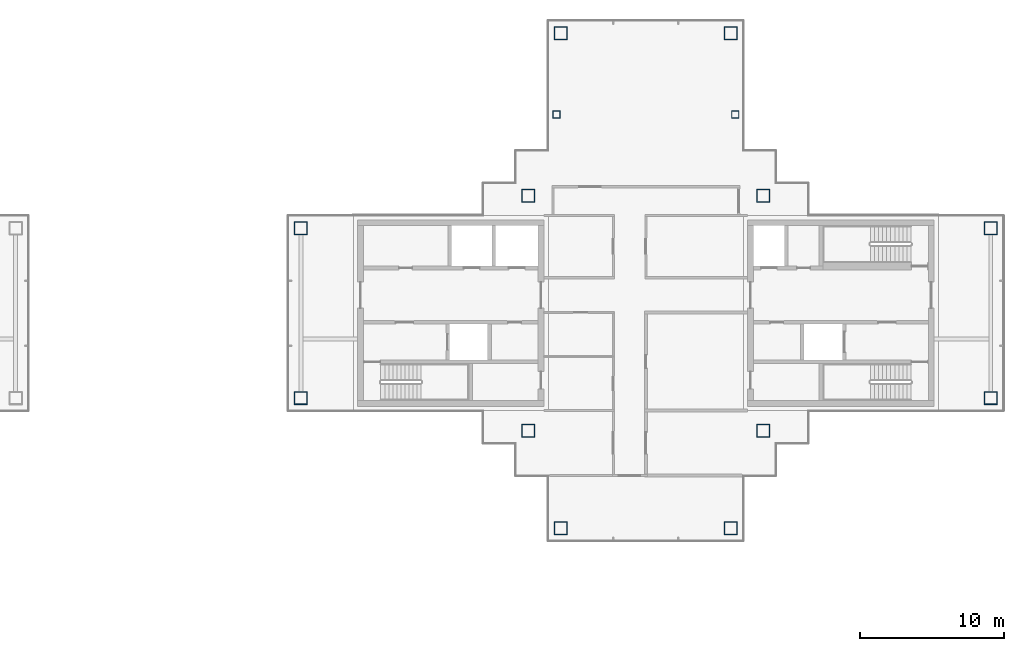
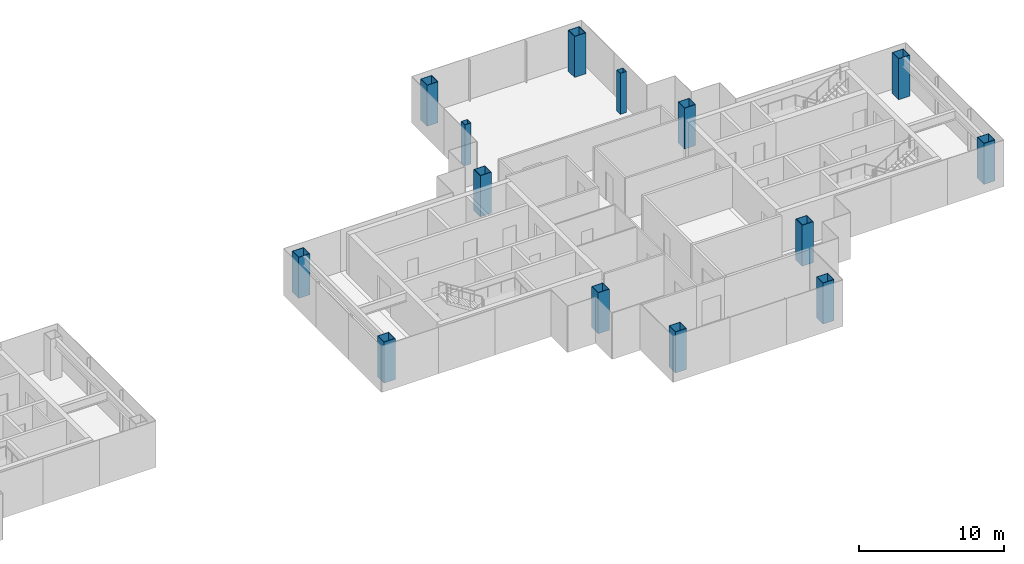
# One storey, part 2 of 15: 14 columns.
"""IFC4 building model written with IfcOpenShell, lengths in metres."""

from ifc_helpers import new_model, si_unit, direction, frame, origin, origin_2d, place, context, subcontext, project, spatial, hollow_rectangle, extrude, material, material_profile, profile_set, type_object, element, save


model = new_model("IFC4")

# Units and contexts
model_context = context("Model", 3, precision=1e-05, world=origin(), true_north=direction((0.0, 1.0)))
body_context = subcontext(model_context, "Body", "Model", "MODEL_VIEW")
ifc_project = project(units=[si_unit("LENGTHUNIT", "METRE"), si_unit("AREAUNIT", "SQUARE_METRE"), si_unit("VOLUMEUNIT", "CUBIC_METRE"), si_unit("PLANEANGLEUNIT", "RADIAN"), si_unit("MASSUNIT", "GRAM", prefix="KILO")], contexts=[model_context])

# Site, building, storey
site_placement = place(None, origin())
site = spatial("IfcSite", under=ifc_project, at=site_placement, CompositionType="ELEMENT")
building_placement = place(site_placement, origin())
building = spatial("IfcBuilding", under=site, at=building_placement, Name="Shamsa Quay Exchange Towers", CompositionType="ELEMENT")
storey_placement = place(building_placement, frame((0.0, 0.0, 269.39990234375)))
storey = spatial("IfcBuildingStorey", under=building, at=storey_placement, Name="L65", CompositionType="ELEMENT", Elevation=269.39990234375)

# Columns
ifc_material_1 = material(Name="Concrete-filled steel tube S355 / C60/75", Category="concrete")
ifc_material_profile_1 = material_profile(ifc_material_1, hollow_rectangle(XDim=0.5, YDim=0.5, WallThickness=0.01611328125, at=origin_2d()), Name="CFT 500x500x16")
ifc_profile_set_1 = profile_set([ifc_material_profile_1], Name="Concrete-filled steel tube S355 / C60/75")
column_type_1 = type_object("IfcColumnType", Name="Column CFT 500x500x16", PredefinedType="COLUMN", material=ifc_profile_set_1)
for number, where, name in (
    (1, (39.9375, 13.75, 0.0), "Perimeter column T2-CP05"),
    (2, (27.5625, 13.75, 0.0), "Perimeter column T2-CP09"),
):
    element("IfcColumn", number, at=place(storey_placement, frame(where)), inside=storey, type_object=column_type_1, Name=name, PredefinedType="COLUMN", context=body_context, shape_type="SweptSolid", body=[
        extrude(hollow_rectangle(XDim=0.5, YDim=0.5, WallThickness=0.01611328125, at=origin_2d()), origin(), (0.0, 0.0, 1.0), 3.4501953125),
    ])
ifc_material_2 = material(Name="Concrete-filled steel tube S355 / C80/95", Category="concrete")
ifc_material_profile_2 = material_profile(ifc_material_2, hollow_rectangle(XDim=0.89990234375, YDim=0.89990234375, WallThickness=0.035888671875, at=origin_2d()), Name="CFT 900x900x36")
ifc_profile_set_2 = profile_set([ifc_material_profile_2], Name="Concrete-filled steel tube S355 / C80/95")
column_type_2 = type_object("IfcColumnType", Name="Column CFT 900x900x36", PredefinedType="COLUMN", material=ifc_profile_set_2)
for number, where, name in (
    (3, (25.625, 8.125, 0.0), "Mega column T2-CM01"),
    (4, (41.875, 8.125, 0.0), "Mega column T2-CM02"),
    (5, (25.625, -8.125, 0.0), "Mega column T2-CM03"),
    (6, (41.875, -8.125, 0.0), "Mega column T2-CM04"),
    (7, (39.625, 19.375, 0.0), "Mega column T2-CM06"),
    (8, (27.875, 19.375, 0.0), "Mega column T2-CM10"),
    (9, (39.625, -14.875, 0.0), "Mega column T2-CM13"),
    (10, (27.875, -14.875, 0.0), "Mega column T2-CM16"),
    (11, (9.875, -5.875, 0.0), "Mega column T2-CM19"),
    (12, (9.875, 5.875, 0.0), "Mega column T2-CM20"),
    (13, (57.625, -5.875, 0.0), "Mega column T2-CM21"),
    (14, (57.625, 5.875, 0.0), "Mega column T2-CM23"),
):
    element("IfcColumn", number, at=place(storey_placement, frame(where)), inside=storey, type_object=column_type_2, Name=name, PredefinedType="COLUMN", context=body_context, shape_type="SweptSolid", body=[
        extrude(hollow_rectangle(XDim=0.89990234375, YDim=0.89990234375, WallThickness=0.035888671875, at=origin_2d()), origin(), (0.0, 0.0, 1.0), 3.4501953125),
    ])

save(model, "model.ifc")
